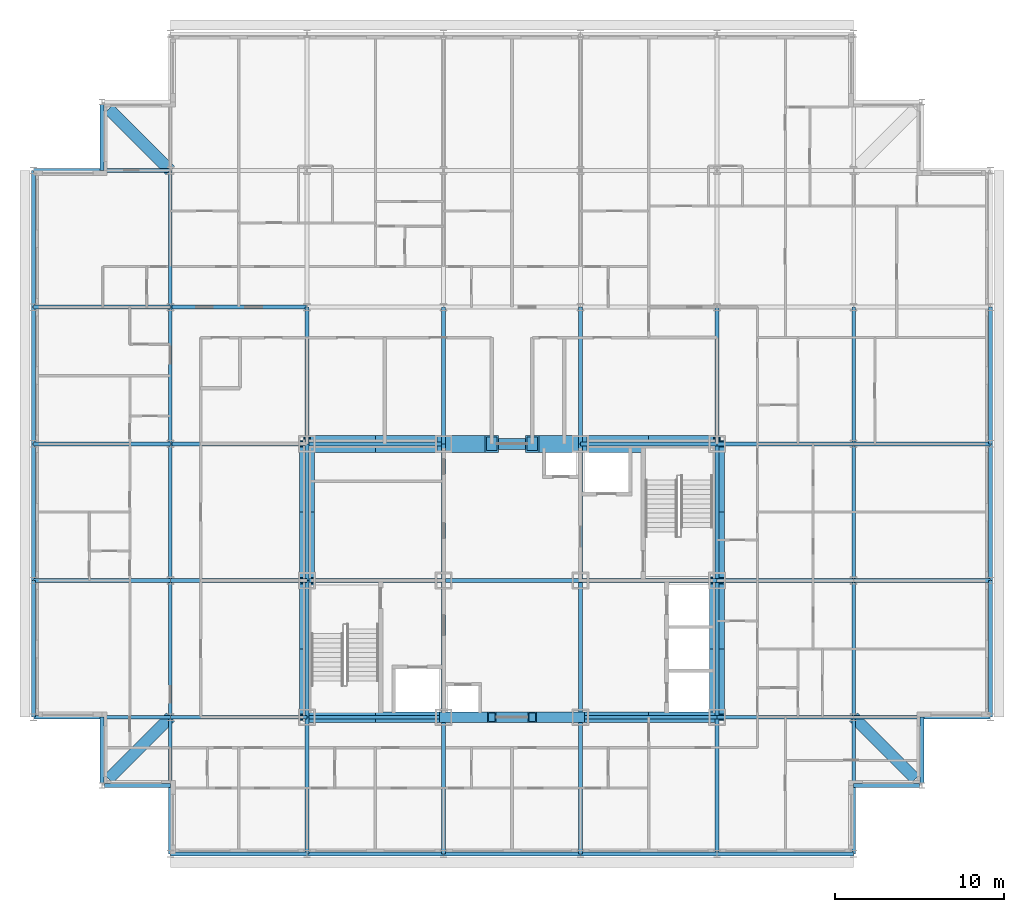
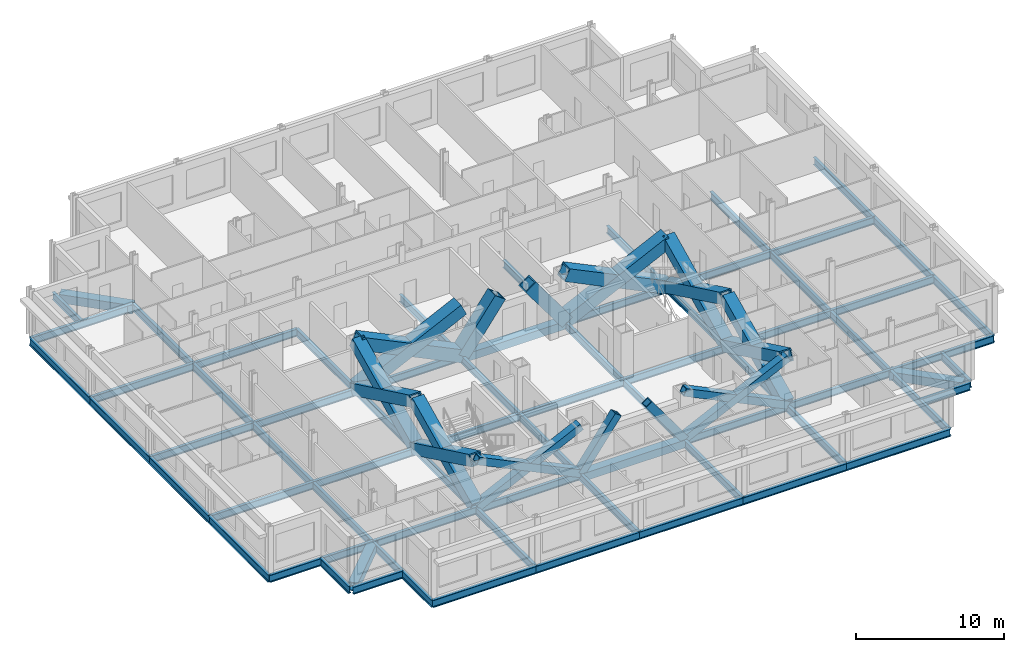
# One storey, part 5 of 16: 69 beams, 20 members.
"""IFC4 building model written with IfcOpenShell, lengths in metres."""

from ifc_helpers import new_model, si_unit, direction, frame, origin, origin_2d, place, context, subcontext, project, spatial, hollow_rectangle, i_section, extrude, material, material_profile, profile_set, type_object, element, save


model = new_model("IFC4")

# Units and contexts
model_context = context("Model", 3, precision=1e-05, world=origin(), true_north=direction((0.0, 1.0)))
body_context = subcontext(model_context, "Body", "Model", "MODEL_VIEW")
ifc_project = project(units=[si_unit("LENGTHUNIT", "METRE"), si_unit("AREAUNIT", "SQUARE_METRE"), si_unit("VOLUMEUNIT", "CUBIC_METRE"), si_unit("PLANEANGLEUNIT", "RADIAN"), si_unit("MASSUNIT", "GRAM", prefix="KILO")], contexts=[model_context])

# Site, building, storey
site_placement = place(None, origin())
site = spatial("IfcSite", under=ifc_project, at=site_placement, CompositionType="ELEMENT")
building_placement = place(site_placement, origin())
building = spatial("IfcBuilding", under=site, at=building_placement, Name="Kopane Lantern Tower", CompositionType="ELEMENT")
storey_placement = place(building_placement, frame((0.0, 0.0, 258.0)))
storey = spatial("IfcBuildingStorey", under=building, at=storey_placement, Name="L66", CompositionType="ELEMENT", Elevation=258.0)

# Members
ifc_material_1 = material(Name="Steel S355JR", Category="steel")
ifc_material_profile_1 = material_profile(ifc_material_1, hollow_rectangle(XDim=1.0, YDim=1.0, WallThickness=0.10009765625, at=origin_2d()), Name="BOX 1000x1000x100")
ifc_profile_set_1 = profile_set([ifc_material_profile_1], Name="Steel S355JR")
member_type_1 = type_object("IfcMemberType", Name="BRACE BOX 1000x1000x100", PredefinedType="BRACE", material=ifc_profile_set_1)
for number, where, z_axis, x_axis, name in (
    (1, (16.199951171875, 40.5, -0.2099609375), (0.901007959878, 0.0, 0.433802554437), (0.0, 1.0, 0.0), "Core brace L66"),
    (2, (24.300048828125, 40.5, -0.2099609375), (-0.901007959878, 0.0, 0.433802554437), (0.0, -1.0, 0.0), "Core brace L66"),
):
    element("IfcMember", number, at=place(storey_placement, frame(where, z_axis=z_axis, x_axis=x_axis)), inside=storey, type_object=member_type_1, Name=name, PredefinedType="BRACE", context=body_context, shape_type="SweptSolid", body=[
        extrude(hollow_rectangle(XDim=1.0, YDim=1.0, WallThickness=0.10009765625, at=origin_2d()), origin(), (0.0, 0.0, 1.0), 8.989990234375),
    ])
for number, where, z_axis, x_axis, name in (
    (3, (24.300048828125, 40.5, -0.2099609375), (0.590006451143, 0.0, 0.807398530845), (0.0, 1.0, 0.0), "Core brace L66"),
    (4, (32.39990234375, 40.5, -0.2099609375), (-0.590006451143, 0.0, 0.807398530845), (0.0, -1.0, 0.0), "Core brace L66"),
):
    element("IfcMember", number, at=place(storey_placement, frame(where, z_axis=z_axis, x_axis=x_axis)), inside=storey, type_object=member_type_1, Name=name, PredefinedType="BRACE", context=body_context, shape_type="SweptSolid", body=[
        extrude(hollow_rectangle(XDim=1.0, YDim=1.0, WallThickness=0.10009765625, at=origin_2d()), origin(), (0.0, 0.0, 1.0), 4.830322265625),
    ])
for number, where, z_axis, x_axis, name in (
    (5, (32.39990234375, 40.5, -0.2099609375), (0.901007959878, 0.0, 0.433802554437), (0.0, 1.0, 0.0), "Core brace L66"),
    (6, (40.5, 40.5, -0.2099609375), (-0.901007959878, 0.0, 0.433802554437), (0.0, -1.0, 0.0), "Core brace L66"),
):
    element("IfcMember", number, at=place(storey_placement, frame(where, z_axis=z_axis, x_axis=x_axis)), inside=storey, type_object=member_type_1, Name=name, PredefinedType="BRACE", context=body_context, shape_type="SweptSolid", body=[
        extrude(hollow_rectangle(XDim=1.0, YDim=1.0, WallThickness=0.10009765625, at=origin_2d()), origin(), (0.0, 0.0, 1.0), 8.989990234375),
    ])
ifc_material_2 = material(Name="Steel S355JR", Category="steel")
ifc_material_profile_2 = material_profile(ifc_material_2, hollow_rectangle(XDim=0.60009765625, YDim=0.60009765625, WallThickness=0.06005859375, at=origin_2d()), Name="BOX 600x600x60")
ifc_profile_set_2 = profile_set([ifc_material_profile_2], Name="Steel S355JR")
member_type_2 = type_object("IfcMemberType", Name="BRACE BOX 600x600x60", PredefinedType="BRACE", material=ifc_profile_set_2)
for number, where, z_axis, x_axis, name in (
    (7, (16.199951171875, 24.300048828125, -0.2099609375), (0.901007959878, 0.0, 0.433802554437), (0.0, 1.0, 0.0), "Core brace L66"),
    (8, (24.300048828125, 24.300048828125, -0.2099609375), (-0.901007959878, 0.0, 0.433802554437), (0.0, -1.0, 0.0), "Core brace L66"),
):
    element("IfcMember", number, at=place(storey_placement, frame(where, z_axis=z_axis, x_axis=x_axis)), inside=storey, type_object=member_type_2, Name=name, PredefinedType="BRACE", context=body_context, shape_type="SweptSolid", body=[
        extrude(hollow_rectangle(XDim=0.60009765625, YDim=0.60009765625, WallThickness=0.06005859375, at=origin_2d()), origin(), (0.0, 0.0, 1.0), 8.989990234375),
    ])
for number, where, z_axis, x_axis, name in (
    (9, (24.300048828125, 24.300048828125, -0.2099609375), (0.590006451143, 0.0, 0.807398530845), (0.0, 1.0, 0.0), "Core brace L66"),
    (10, (32.39990234375, 24.300048828125, -0.2099609375), (-0.590006451143, 0.0, 0.807398530845), (0.0, -1.0, 0.0), "Core brace L66"),
):
    element("IfcMember", number, at=place(storey_placement, frame(where, z_axis=z_axis, x_axis=x_axis)), inside=storey, type_object=member_type_2, Name=name, PredefinedType="BRACE", context=body_context, shape_type="SweptSolid", body=[
        extrude(hollow_rectangle(XDim=0.60009765625, YDim=0.60009765625, WallThickness=0.06005859375, at=origin_2d()), origin(), (0.0, 0.0, 1.0), 4.830322265625),
    ])
for number, where, z_axis, x_axis, name in (
    (11, (32.39990234375, 24.300048828125, -0.2099609375), (0.901007959878, 0.0, 0.433802554437), (0.0, 1.0, 0.0), "Core brace L66"),
    (12, (40.5, 24.300048828125, -0.2099609375), (-0.901007959878, 0.0, 0.433802554437), (0.0, -1.0, 0.0), "Core brace L66"),
):
    element("IfcMember", number, at=place(storey_placement, frame(where, z_axis=z_axis, x_axis=x_axis)), inside=storey, type_object=member_type_2, Name=name, PredefinedType="BRACE", context=body_context, shape_type="SweptSolid", body=[
        extrude(hollow_rectangle(XDim=0.60009765625, YDim=0.60009765625, WallThickness=0.06005859375, at=origin_2d()), origin(), (0.0, 0.0, 1.0), 8.989990234375),
    ])
ifc_material_3 = material(Name="Steel S355JR", Category="steel")
ifc_material_profile_3 = material_profile(ifc_material_3, hollow_rectangle(XDim=0.89990234375, YDim=0.89990234375, WallThickness=0.090087890625, at=origin_2d()), Name="BOX 900x900x90")
ifc_profile_set_3 = profile_set([ifc_material_profile_3], Name="Steel S355JR")
member_type_3 = type_object("IfcMemberType", Name="BRACE BOX 900x900x90", PredefinedType="BRACE", material=ifc_profile_set_3)
for number, where, z_axis, x_axis, name in (
    (13, (16.199951171875, 24.300048828125, -0.2099609375), (0.0, 0.9010028492, 0.433813169157), (-1.0, 0.0, 0.0), "Core brace L66"),
    (14, (16.199951171875, 32.39990234375, -0.2099609375), (0.0, -0.9010028492, 0.433813169157), (1.0, 0.0, 0.0), "Core brace L66"),
):
    element("IfcMember", number, at=place(storey_placement, frame(where, z_axis=z_axis, x_axis=x_axis)), inside=storey, type_object=member_type_3, Name=name, PredefinedType="BRACE", context=body_context, shape_type="SweptSolid", body=[
        extrude(hollow_rectangle(XDim=0.89990234375, YDim=0.89990234375, WallThickness=0.090087890625, at=origin_2d()), origin(), (0.0, 0.0, 1.0), 8.98974609375),
    ])
for number, where, z_axis, x_axis, name in (
    (15, (16.199951171875, 32.39990234375, -0.2099609375), (0.0, 0.901007959878, 0.433802554437), (-1.0, 0.0, 0.0), "Core brace L66"),
    (16, (16.199951171875, 40.5, -0.2099609375), (0.0, -0.901007959878, 0.433802554437), (1.0, 0.0, 0.0), "Core brace L66"),
):
    element("IfcMember", number, at=place(storey_placement, frame(where, z_axis=z_axis, x_axis=x_axis)), inside=storey, type_object=member_type_3, Name=name, PredefinedType="BRACE", context=body_context, shape_type="SweptSolid", body=[
        extrude(hollow_rectangle(XDim=0.89990234375, YDim=0.89990234375, WallThickness=0.090087890625, at=origin_2d()), origin(), (0.0, 0.0, 1.0), 8.989990234375),
    ])
for number, where, z_axis, x_axis, name in (
    (17, (40.5, 24.300048828125, -0.2099609375), (0.0, 0.9010028492, 0.433813169157), (-1.0, 0.0, 0.0), "Core brace L66"),
    (18, (40.5, 32.39990234375, -0.2099609375), (0.0, -0.9010028492, 0.433813169157), (1.0, 0.0, 0.0), "Core brace L66"),
):
    element("IfcMember", number, at=place(storey_placement, frame(where, z_axis=z_axis, x_axis=x_axis)), inside=storey, type_object=member_type_3, Name=name, PredefinedType="BRACE", context=body_context, shape_type="SweptSolid", body=[
        extrude(hollow_rectangle(XDim=0.89990234375, YDim=0.89990234375, WallThickness=0.090087890625, at=origin_2d()), origin(), (0.0, 0.0, 1.0), 8.98974609375),
    ])
for number, where, z_axis, x_axis, name in (
    (19, (40.5, 32.39990234375, -0.2099609375), (0.0, 0.901007959878, 0.433802554437), (-1.0, 0.0, 0.0), "Core brace L66"),
    (20, (40.5, 40.5, -0.2099609375), (0.0, -0.901007959878, 0.433802554437), (1.0, 0.0, 0.0), "Core brace L66"),
):
    element("IfcMember", number, at=place(storey_placement, frame(where, z_axis=z_axis, x_axis=x_axis)), inside=storey, type_object=member_type_3, Name=name, PredefinedType="BRACE", context=body_context, shape_type="SweptSolid", body=[
        extrude(hollow_rectangle(XDim=0.89990234375, YDim=0.89990234375, WallThickness=0.090087890625, at=origin_2d()), origin(), (0.0, 0.0, 1.0), 8.989990234375),
    ])

# Beams
ifc_material_4 = material(Name="Steel S355JR", Category="steel")
ifc_material_profile_4 = material_profile(ifc_material_4, i_section(OverallWidth=0.22900390625, OverallDepth=0.6123046875, WebThickness=0.011962890625, FlangeThickness=0.01953125, FilletRadius=0.0126953125, at=origin_2d()), Name="UB 610x229x125")
ifc_profile_set_4 = profile_set([ifc_material_profile_4], Name="Steel S355JR")
beam_type_1 = type_object("IfcBeamType", Name="CORE BEAM UB 610x229x125", PredefinedType="BEAM", material=ifc_profile_set_4)
beam_1_placement = place(storey_placement, frame((16.199951171875, 32.39990234375, -0.51611328125), z_axis=(1.0, 0.0, 0.0), x_axis=(0.0, 1.0, 0.0)))
element("IfcBeam", 21, at=beam_1_placement, inside=storey, type_object=beam_type_1, Name="Core Beam L66", PredefinedType="BEAM", context=body_context, shape_type="SweptSolid", body=[
    extrude(i_section(OverallWidth=0.22900390625, OverallDepth=0.6123046875, WebThickness=0.011962890625, FlangeThickness=0.01953125, FilletRadius=0.0126953125, at=origin_2d()), origin(), (0.0, 0.0, 1.0), 8.10009765625),
])
beam_2_placement = place(storey_placement, frame((24.300048828125, 24.300048828125, -0.51611328125), z_axis=(0.0, 1.0, 0.0), x_axis=(-1.0, 0.0, 0.0)))
element("IfcBeam", 22, at=beam_2_placement, inside=storey, type_object=beam_type_1, Name="Core Beam L66", PredefinedType="BEAM", context=body_context, shape_type="SweptSolid", body=[
    extrude(i_section(OverallWidth=0.22900390625, OverallDepth=0.6123046875, WebThickness=0.011962890625, FlangeThickness=0.01953125, FilletRadius=0.0126953125, at=origin_2d()), origin(), (0.0, 0.0, 1.0), 8.099853515625),
])
beam_3_placement = place(storey_placement, frame((24.300048828125, 32.39990234375, -0.51611328125), z_axis=(0.0, 1.0, 0.0), x_axis=(-1.0, 0.0, 0.0)))
element("IfcBeam", 23, at=beam_3_placement, inside=storey, type_object=beam_type_1, Name="Core Beam L66", PredefinedType="BEAM", context=body_context, shape_type="SweptSolid", body=[
    extrude(i_section(OverallWidth=0.22900390625, OverallDepth=0.6123046875, WebThickness=0.011962890625, FlangeThickness=0.01953125, FilletRadius=0.0126953125, at=origin_2d()), origin(), (0.0, 0.0, 1.0), 8.10009765625),
])
for number, where, z_axis, x_axis, name in (
    (24, (24.300048828125, 32.39990234375, -0.51611328125), (1.0, 0.0, 0.0), (0.0, 1.0, 0.0), "Core Beam L66"),
    (25, (32.39990234375, 24.300048828125, -0.51611328125), (0.0, 1.0, 0.0), (-1.0, 0.0, 0.0), "Core Beam L66"),
):
    element("IfcBeam", number, at=place(storey_placement, frame(where, z_axis=z_axis, x_axis=x_axis)), inside=storey, type_object=beam_type_1, Name=name, PredefinedType="BEAM", context=body_context, shape_type="SweptSolid", body=[
        extrude(i_section(OverallWidth=0.22900390625, OverallDepth=0.6123046875, WebThickness=0.011962890625, FlangeThickness=0.01953125, FilletRadius=0.0126953125, at=origin_2d()), origin(), (0.0, 0.0, 1.0), 8.099853515625),
    ])
for number, where, z_axis, x_axis, name in (
    (26, (32.39990234375, 32.39990234375, -0.51611328125), (0.0, 1.0, 0.0), (-1.0, 0.0, 0.0), "Core Beam L66"),
    (27, (32.39990234375, 32.39990234375, -0.51611328125), (1.0, 0.0, 0.0), (0.0, 1.0, 0.0), "Core Beam L66"),
):
    element("IfcBeam", number, at=place(storey_placement, frame(where, z_axis=z_axis, x_axis=x_axis)), inside=storey, type_object=beam_type_1, Name=name, PredefinedType="BEAM", context=body_context, shape_type="SweptSolid", body=[
        extrude(i_section(OverallWidth=0.22900390625, OverallDepth=0.6123046875, WebThickness=0.011962890625, FlangeThickness=0.01953125, FilletRadius=0.0126953125, at=origin_2d()), origin(), (0.0, 0.0, 1.0), 8.10009765625),
    ])
ifc_material_5 = material(Name="Steel S355JR", Category="steel")
ifc_material_profile_5 = material_profile(ifc_material_5, hollow_rectangle(XDim=0.699951171875, YDim=0.699951171875, WallThickness=0.06005859375, at=origin_2d()), Name="BOX 700x700x60")
ifc_profile_set_5 = profile_set([ifc_material_profile_5], Name="Steel S355JR")
beam_type_2 = type_object("IfcBeamType", Name="CORNER TIE BEAM BOX 700x700x60", PredefinedType="BEAM", material=ifc_profile_set_5)
for number, where, z_axis, x_axis, name in (
    (28, (4.447509765625, 20.6474609375, -0.56005859375), (0.707106781187, 0.707106781187, 0.0), (-0.707106781187, 0.707106781187, 0.0), "Corner Tie Beam L66"),
    (29, (4.447509765625, 60.3525390625, -0.56005859375), (0.707106781187, -0.707106781187, 0.0), (0.707106781187, 0.707106781187, 0.0), "Corner Tie Beam L66"),
):
    element("IfcBeam", number, at=place(storey_placement, frame(where, z_axis=z_axis, x_axis=x_axis)), inside=storey, type_object=beam_type_2, Name=name, PredefinedType="BEAM", context=body_context, shape_type="SweptSolid", body=[
        extrude(hollow_rectangle(XDim=0.699951171875, YDim=0.699951171875, WallThickness=0.06005859375, at=origin_2d()), origin(), (0.0, 0.0, 1.0), 5.16552734375),
    ])
beam_4_placement = place(storey_placement, frame((52.25244140625, 20.6474609375, -0.56005859375), z_axis=(-0.707083148333, 0.70713041325, 0.0), x_axis=(-0.70713041325, -0.707083148333, 0.0)))
element("IfcBeam", 30, at=beam_4_placement, inside=storey, type_object=beam_type_2, Name="Corner Tie Beam L66", PredefinedType="BEAM", context=body_context, shape_type="SweptSolid", body=[
    extrude(hollow_rectangle(XDim=0.699951171875, YDim=0.699951171875, WallThickness=0.06005859375, at=origin_2d()), origin(), (0.0, 0.0, 1.0), 5.165283203125),
])
ifc_material_6 = material(Name="Steel S355JR", Category="steel")
ifc_material_profile_6 = material_profile(ifc_material_6, i_section(OverallWidth=0.22900390625, OverallDepth=0.6123046875, WebThickness=0.011962890625, FlangeThickness=0.01953125, FilletRadius=0.0126953125, at=origin_2d()), Name="UB 610x229x125")
ifc_profile_set_6 = profile_set([ifc_material_profile_6], Name="Steel S355JR")
beam_type_3 = type_object("IfcBeamType", Name="EDGE BEAM UB 610x229x125", PredefinedType="BEAM", material=ifc_profile_set_6)
beam_5_placement = place(storey_placement, frame((4.050048828125, 20.40380859375, -0.51611328125), z_axis=(0.0, 1.0, 0.0), x_axis=(-1.0, 0.0, 0.0)))
element("IfcBeam", 31, at=beam_5_placement, inside=storey, type_object=beam_type_3, Name="Edge Beam L66", PredefinedType="BEAM", context=body_context, shape_type="SweptSolid", body=[
    extrude(i_section(OverallWidth=0.22900390625, OverallDepth=0.6123046875, WebThickness=0.011962890625, FlangeThickness=0.01953125, FilletRadius=0.0126953125, at=origin_2d()), origin(), (0.0, 0.0, 1.0), 3.896240234375),
])
beam_6_placement = place(storey_placement, frame((4.20361328125, 20.25, -0.51611328125), z_axis=(1.0, 0.0, 0.0), x_axis=(0.0, 1.0, 0.0)))
element("IfcBeam", 32, at=beam_6_placement, inside=storey, type_object=beam_type_3, Name="Edge Beam L66", PredefinedType="BEAM", context=body_context, shape_type="SweptSolid", body=[
    extrude(i_section(OverallWidth=0.22900390625, OverallDepth=0.6123046875, WebThickness=0.011962890625, FlangeThickness=0.01953125, FilletRadius=0.0126953125, at=origin_2d()), origin(), (0.0, 0.0, 1.0), 3.896484375),
])
for number, where, z_axis, x_axis, name in (
    (33, (4.050048828125, 60.59619140625, -0.51611328125), (0.0, -1.0, 0.0), (1.0, 0.0, 0.0), "Edge Beam L66"),
    (34, (52.496337890625, 20.25, -0.51611328125), (-1.0, 0.0, 0.0), (0.0, -1.0, 0.0), "Edge Beam L66"),
    (35, (52.64990234375, 20.40380859375, -0.51611328125), (0.0, 1.0, 0.0), (-1.0, 0.0, 0.0), "Edge Beam L66"),
):
    element("IfcBeam", number, at=place(storey_placement, frame(where, z_axis=z_axis, x_axis=x_axis)), inside=storey, type_object=beam_type_3, Name=name, PredefinedType="BEAM", context=body_context, shape_type="SweptSolid", body=[
        extrude(i_section(OverallWidth=0.22900390625, OverallDepth=0.6123046875, WebThickness=0.011962890625, FlangeThickness=0.01953125, FilletRadius=0.0126953125, at=origin_2d()), origin(), (0.0, 0.0, 1.0), 3.896240234375),
    ])
ifc_material_7 = material(Name="Steel S355JR", Category="steel")
ifc_material_profile_7 = material_profile(ifc_material_7, i_section(OverallWidth=0.22900390625, OverallDepth=0.6123046875, WebThickness=0.011962890625, FlangeThickness=0.01953125, FilletRadius=0.0126953125, at=origin_2d()), Name="UB 610x229x125")
ifc_profile_set_7 = profile_set([ifc_material_profile_7], Name="Steel S355JR")
beam_type_4 = type_object("IfcBeamType", Name="GIRDER UB 610x229x125", PredefinedType="BEAM", material=ifc_profile_set_7)
beam_7_placement = place(storey_placement, frame((0.0, 24.300048828125, -0.51611328125), z_axis=(0.0, 1.0, 0.0), x_axis=(-1.0, 0.0, 0.0)))
element("IfcBeam", 36, at=beam_7_placement, inside=storey, type_object=beam_type_4, Name="Girder L66", PredefinedType="BEAM", context=body_context, shape_type="SweptSolid", body=[
    extrude(i_section(OverallWidth=0.22900390625, OverallDepth=0.6123046875, WebThickness=0.011962890625, FlangeThickness=0.01953125, FilletRadius=0.0126953125, at=origin_2d()), origin(), (0.0, 0.0, 1.0), 8.099853515625),
])
for number, where, z_axis, x_axis, name in (
    (37, (0.0, 24.300048828125, -0.51611328125), (1.0, 0.0, 0.0), (0.0, 1.0, 0.0), "Girder L66"),
    (38, (0.0, 32.39990234375, -0.51611328125), (0.0, 1.0, 0.0), (-1.0, 0.0, 0.0), "Girder L66"),
    (39, (0.0, 32.39990234375, -0.51611328125), (1.0, 0.0, 0.0), (0.0, 1.0, 0.0), "Girder L66"),
    (40, (0.0, 40.5, -0.51611328125), (0.0, 1.0, 0.0), (-1.0, 0.0, 0.0), "Girder L66"),
    (41, (0.0, 40.5, -0.51611328125), (1.0, 0.0, 0.0), (0.0, 1.0, 0.0), "Girder L66"),
):
    element("IfcBeam", number, at=place(storey_placement, frame(where, z_axis=z_axis, x_axis=x_axis)), inside=storey, type_object=beam_type_4, Name=name, PredefinedType="BEAM", context=body_context, shape_type="SweptSolid", body=[
        extrude(i_section(OverallWidth=0.22900390625, OverallDepth=0.6123046875, WebThickness=0.011962890625, FlangeThickness=0.01953125, FilletRadius=0.0126953125, at=origin_2d()), origin(), (0.0, 0.0, 1.0), 8.10009765625),
    ])
beam_8_placement = place(storey_placement, frame((0.0, 48.60009765625, -0.51611328125), z_axis=(0.0, 1.0, 0.0), x_axis=(-1.0, 0.0, 0.0)))
element("IfcBeam", 42, at=beam_8_placement, inside=storey, type_object=beam_type_4, Name="Girder L66", PredefinedType="BEAM", context=body_context, shape_type="SweptSolid", body=[
    extrude(i_section(OverallWidth=0.22900390625, OverallDepth=0.6123046875, WebThickness=0.011962890625, FlangeThickness=0.01953125, FilletRadius=0.0126953125, at=origin_2d()), origin(), (0.0, 0.0, 1.0), 8.099853515625),
])
for number, where, z_axis, x_axis, name in (
    (43, (0.0, 48.60009765625, -0.51611328125), (1.0, 0.0, 0.0), (0.0, 1.0, 0.0), "Girder L66"),
    (44, (0.0, 56.699951171875, -0.51611328125), (1.0, 0.0, 0.0), (0.0, 1.0, 0.0), "Girder L66"),
    (45, (8.10009765625, 16.199951171875, -0.51611328125), (0.0, 1.0, 0.0), (-1.0, 0.0, 0.0), "Girder L66"),
):
    element("IfcBeam", number, at=place(storey_placement, frame(where, z_axis=z_axis, x_axis=x_axis)), inside=storey, type_object=beam_type_4, Name=name, PredefinedType="BEAM", context=body_context, shape_type="SweptSolid", body=[
        extrude(i_section(OverallWidth=0.22900390625, OverallDepth=0.6123046875, WebThickness=0.011962890625, FlangeThickness=0.01953125, FilletRadius=0.0126953125, at=origin_2d()), origin(), (0.0, 0.0, 1.0), 8.10009765625),
    ])
for number, where, z_axis, x_axis, name in (
    (46, (8.10009765625, 16.199951171875, -0.51611328125), (1.0, 0.0, 0.0), (0.0, 1.0, 0.0), "Girder L66"),
    (47, (8.10009765625, 24.300048828125, -0.51611328125), (0.0, 1.0, 0.0), (-1.0, 0.0, 0.0), "Girder L66"),
    (48, (8.10009765625, 24.300048828125, -0.51611328125), (1.0, 0.0, 0.0), (0.0, 1.0, 0.0), "Girder L66"),
):
    element("IfcBeam", number, at=place(storey_placement, frame(where, z_axis=z_axis, x_axis=x_axis)), inside=storey, type_object=beam_type_4, Name=name, PredefinedType="BEAM", context=body_context, shape_type="SweptSolid", body=[
        extrude(i_section(OverallWidth=0.22900390625, OverallDepth=0.6123046875, WebThickness=0.011962890625, FlangeThickness=0.01953125, FilletRadius=0.0126953125, at=origin_2d()), origin(), (0.0, 0.0, 1.0), 8.099853515625),
    ])
beam_9_placement = place(storey_placement, frame((8.10009765625, 32.39990234375, -0.51611328125), z_axis=(0.0, 1.0, 0.0), x_axis=(-1.0, 0.0, 0.0)))
element("IfcBeam", 49, at=beam_9_placement, inside=storey, type_object=beam_type_4, Name="Girder L66", PredefinedType="BEAM", context=body_context, shape_type="SweptSolid", body=[
    extrude(i_section(OverallWidth=0.22900390625, OverallDepth=0.6123046875, WebThickness=0.011962890625, FlangeThickness=0.01953125, FilletRadius=0.0126953125, at=origin_2d()), origin(), (0.0, 0.0, 1.0), 8.10009765625),
])
beam_10_placement = place(storey_placement, frame((8.10009765625, 32.39990234375, -0.51611328125), z_axis=(1.0, 0.0, 0.0), x_axis=(0.0, 1.0, 0.0)))
element("IfcBeam", 50, at=beam_10_placement, inside=storey, type_object=beam_type_4, Name="Girder L66", PredefinedType="BEAM", context=body_context, shape_type="SweptSolid", body=[
    extrude(i_section(OverallWidth=0.22900390625, OverallDepth=0.6123046875, WebThickness=0.011962890625, FlangeThickness=0.01953125, FilletRadius=0.0126953125, at=origin_2d()), origin(), (0.0, 0.0, 1.0), 8.099853515625),
])
beam_11_placement = place(storey_placement, frame((8.10009765625, 40.5, -0.51611328125), z_axis=(0.0, 1.0, 0.0), x_axis=(-1.0, 0.0, 0.0)))
element("IfcBeam", 51, at=beam_11_placement, inside=storey, type_object=beam_type_4, Name="Girder L66", PredefinedType="BEAM", context=body_context, shape_type="SweptSolid", body=[
    extrude(i_section(OverallWidth=0.22900390625, OverallDepth=0.6123046875, WebThickness=0.011962890625, FlangeThickness=0.01953125, FilletRadius=0.0126953125, at=origin_2d()), origin(), (0.0, 0.0, 1.0), 8.10009765625),
])
for number, where, z_axis, x_axis, name in (
    (52, (8.10009765625, 40.5, -0.51611328125), (1.0, 0.0, 0.0), (0.0, 1.0, 0.0), "Girder L66"),
    (53, (8.10009765625, 48.60009765625, -0.51611328125), (0.0, 1.0, 0.0), (-1.0, 0.0, 0.0), "Girder L66"),
    (54, (8.10009765625, 48.60009765625, -0.51611328125), (1.0, 0.0, 0.0), (0.0, 1.0, 0.0), "Girder L66"),
):
    element("IfcBeam", number, at=place(storey_placement, frame(where, z_axis=z_axis, x_axis=x_axis)), inside=storey, type_object=beam_type_4, Name=name, PredefinedType="BEAM", context=body_context, shape_type="SweptSolid", body=[
        extrude(i_section(OverallWidth=0.22900390625, OverallDepth=0.6123046875, WebThickness=0.011962890625, FlangeThickness=0.01953125, FilletRadius=0.0126953125, at=origin_2d()), origin(), (0.0, 0.0, 1.0), 8.099853515625),
    ])
for number, where, z_axis, x_axis, name in (
    (55, (16.199951171875, 16.199951171875, -0.51611328125), (0.0, 1.0, 0.0), (-1.0, 0.0, 0.0), "Girder L66"),
    (56, (16.199951171875, 16.199951171875, -0.51611328125), (1.0, 0.0, 0.0), (0.0, 1.0, 0.0), "Girder L66"),
):
    element("IfcBeam", number, at=place(storey_placement, frame(where, z_axis=z_axis, x_axis=x_axis)), inside=storey, type_object=beam_type_4, Name=name, PredefinedType="BEAM", context=body_context, shape_type="SweptSolid", body=[
        extrude(i_section(OverallWidth=0.22900390625, OverallDepth=0.6123046875, WebThickness=0.011962890625, FlangeThickness=0.01953125, FilletRadius=0.0126953125, at=origin_2d()), origin(), (0.0, 0.0, 1.0), 8.10009765625),
    ])
beam_12_placement = place(storey_placement, frame((16.199951171875, 24.300048828125, -0.51611328125), z_axis=(0.0, 1.0, 0.0), x_axis=(-1.0, 0.0, 0.0)))
element("IfcBeam", 57, at=beam_12_placement, inside=storey, type_object=beam_type_4, Name="Girder L66", PredefinedType="BEAM", context=body_context, shape_type="SweptSolid", body=[
    extrude(i_section(OverallWidth=0.22900390625, OverallDepth=0.6123046875, WebThickness=0.011962890625, FlangeThickness=0.01953125, FilletRadius=0.0126953125, at=origin_2d()), origin(), (0.0, 0.0, 1.0), 8.099853515625),
])
for number, where, z_axis, x_axis, name in (
    (58, (16.199951171875, 24.300048828125, -0.51611328125), (1.0, 0.0, 0.0), (0.0, 1.0, 0.0), "Girder L66"),
    (59, (16.199951171875, 32.39990234375, -0.51611328125), (0.0, 1.0, 0.0), (-1.0, 0.0, 0.0), "Girder L66"),
    (60, (16.199951171875, 40.5, -0.51611328125), (0.0, 1.0, 0.0), (-1.0, 0.0, 0.0), "Girder L66"),
    (61, (16.199951171875, 40.5, -0.51611328125), (1.0, 0.0, 0.0), (0.0, 1.0, 0.0), "Girder L66"),
    (62, (24.300048828125, 16.199951171875, -0.51611328125), (0.0, 1.0, 0.0), (-1.0, 0.0, 0.0), "Girder L66"),
):
    element("IfcBeam", number, at=place(storey_placement, frame(where, z_axis=z_axis, x_axis=x_axis)), inside=storey, type_object=beam_type_4, Name=name, PredefinedType="BEAM", context=body_context, shape_type="SweptSolid", body=[
        extrude(i_section(OverallWidth=0.22900390625, OverallDepth=0.6123046875, WebThickness=0.011962890625, FlangeThickness=0.01953125, FilletRadius=0.0126953125, at=origin_2d()), origin(), (0.0, 0.0, 1.0), 8.10009765625),
    ])
beam_13_placement = place(storey_placement, frame((24.300048828125, 16.199951171875, -0.51611328125), z_axis=(1.0, 0.0, 0.0), x_axis=(0.0, 1.0, 0.0)))
element("IfcBeam", 63, at=beam_13_placement, inside=storey, type_object=beam_type_4, Name="Girder L66", PredefinedType="BEAM", context=body_context, shape_type="SweptSolid", body=[
    extrude(i_section(OverallWidth=0.22900390625, OverallDepth=0.6123046875, WebThickness=0.011962890625, FlangeThickness=0.01953125, FilletRadius=0.0126953125, at=origin_2d()), origin(), (0.0, 0.0, 1.0), 8.099853515625),
])
for number, where, z_axis, x_axis, name in (
    (64, (24.300048828125, 40.5, -0.51611328125), (0.0, 1.0, 0.0), (-1.0, 0.0, 0.0), "Girder L66"),
    (65, (32.39990234375, 16.199951171875, -0.51611328125), (0.0, 1.0, 0.0), (-1.0, 0.0, 0.0), "Girder L66"),
    (66, (32.39990234375, 16.199951171875, -0.51611328125), (1.0, 0.0, 0.0), (0.0, 1.0, 0.0), "Girder L66"),
    (67, (32.39990234375, 24.300048828125, -0.51611328125), (1.0, 0.0, 0.0), (0.0, 1.0, 0.0), "Girder L66"),
    (68, (32.39990234375, 40.5, -0.51611328125), (0.0, 1.0, 0.0), (-1.0, 0.0, 0.0), "Girder L66"),
    (69, (32.39990234375, 40.5, -0.51611328125), (1.0, 0.0, 0.0), (0.0, 1.0, 0.0), "Girder L66"),
    (70, (40.5, 16.199951171875, -0.51611328125), (0.0, 1.0, 0.0), (-1.0, 0.0, 0.0), "Girder L66"),
    (71, (40.5, 16.199951171875, -0.51611328125), (1.0, 0.0, 0.0), (0.0, 1.0, 0.0), "Girder L66"),
):
    element("IfcBeam", number, at=place(storey_placement, frame(where, z_axis=z_axis, x_axis=x_axis)), inside=storey, type_object=beam_type_4, Name=name, PredefinedType="BEAM", context=body_context, shape_type="SweptSolid", body=[
        extrude(i_section(OverallWidth=0.22900390625, OverallDepth=0.6123046875, WebThickness=0.011962890625, FlangeThickness=0.01953125, FilletRadius=0.0126953125, at=origin_2d()), origin(), (0.0, 0.0, 1.0), 8.10009765625),
    ])
beam_14_placement = place(storey_placement, frame((40.5, 24.300048828125, -0.51611328125), z_axis=(0.0, 1.0, 0.0), x_axis=(-1.0, 0.0, 0.0)))
element("IfcBeam", 72, at=beam_14_placement, inside=storey, type_object=beam_type_4, Name="Girder L66", PredefinedType="BEAM", context=body_context, shape_type="SweptSolid", body=[
    extrude(i_section(OverallWidth=0.22900390625, OverallDepth=0.6123046875, WebThickness=0.011962890625, FlangeThickness=0.01953125, FilletRadius=0.0126953125, at=origin_2d()), origin(), (0.0, 0.0, 1.0), 8.099853515625),
])
for number, where, z_axis, x_axis, name in (
    (73, (40.5, 24.300048828125, -0.51611328125), (1.0, 0.0, 0.0), (0.0, 1.0, 0.0), "Girder L66"),
    (74, (40.5, 32.39990234375, -0.51611328125), (0.0, 1.0, 0.0), (-1.0, 0.0, 0.0), "Girder L66"),
    (75, (40.5, 32.39990234375, -0.51611328125), (1.0, 0.0, 0.0), (0.0, 1.0, 0.0), "Girder L66"),
    (76, (40.5, 40.5, -0.51611328125), (0.0, 1.0, 0.0), (-1.0, 0.0, 0.0), "Girder L66"),
    (77, (40.5, 40.5, -0.51611328125), (1.0, 0.0, 0.0), (0.0, 1.0, 0.0), "Girder L66"),
    (78, (48.60009765625, 16.199951171875, -0.51611328125), (0.0, 1.0, 0.0), (-1.0, 0.0, 0.0), "Girder L66"),
):
    element("IfcBeam", number, at=place(storey_placement, frame(where, z_axis=z_axis, x_axis=x_axis)), inside=storey, type_object=beam_type_4, Name=name, PredefinedType="BEAM", context=body_context, shape_type="SweptSolid", body=[
        extrude(i_section(OverallWidth=0.22900390625, OverallDepth=0.6123046875, WebThickness=0.011962890625, FlangeThickness=0.01953125, FilletRadius=0.0126953125, at=origin_2d()), origin(), (0.0, 0.0, 1.0), 8.10009765625),
    ])
for number, where, z_axis, x_axis, name in (
    (79, (48.60009765625, 24.300048828125, -0.51611328125), (0.0, 1.0, 0.0), (-1.0, 0.0, 0.0), "Girder L66"),
    (80, (48.60009765625, 24.300048828125, -0.51611328125), (1.0, 0.0, 0.0), (0.0, 1.0, 0.0), "Girder L66"),
):
    element("IfcBeam", number, at=place(storey_placement, frame(where, z_axis=z_axis, x_axis=x_axis)), inside=storey, type_object=beam_type_4, Name=name, PredefinedType="BEAM", context=body_context, shape_type="SweptSolid", body=[
        extrude(i_section(OverallWidth=0.22900390625, OverallDepth=0.6123046875, WebThickness=0.011962890625, FlangeThickness=0.01953125, FilletRadius=0.0126953125, at=origin_2d()), origin(), (0.0, 0.0, 1.0), 8.099853515625),
    ])
beam_15_placement = place(storey_placement, frame((48.60009765625, 32.39990234375, -0.51611328125), z_axis=(0.0, 1.0, 0.0), x_axis=(-1.0, 0.0, 0.0)))
element("IfcBeam", 81, at=beam_15_placement, inside=storey, type_object=beam_type_4, Name="Girder L66", PredefinedType="BEAM", context=body_context, shape_type="SweptSolid", body=[
    extrude(i_section(OverallWidth=0.22900390625, OverallDepth=0.6123046875, WebThickness=0.011962890625, FlangeThickness=0.01953125, FilletRadius=0.0126953125, at=origin_2d()), origin(), (0.0, 0.0, 1.0), 8.10009765625),
])
beam_16_placement = place(storey_placement, frame((48.60009765625, 32.39990234375, -0.51611328125), z_axis=(1.0, 0.0, 0.0), x_axis=(0.0, 1.0, 0.0)))
element("IfcBeam", 82, at=beam_16_placement, inside=storey, type_object=beam_type_4, Name="Girder L66", PredefinedType="BEAM", context=body_context, shape_type="SweptSolid", body=[
    extrude(i_section(OverallWidth=0.22900390625, OverallDepth=0.6123046875, WebThickness=0.011962890625, FlangeThickness=0.01953125, FilletRadius=0.0126953125, at=origin_2d()), origin(), (0.0, 0.0, 1.0), 8.099853515625),
])
beam_17_placement = place(storey_placement, frame((48.60009765625, 40.5, -0.51611328125), z_axis=(0.0, 1.0, 0.0), x_axis=(-1.0, 0.0, 0.0)))
element("IfcBeam", 83, at=beam_17_placement, inside=storey, type_object=beam_type_4, Name="Girder L66", PredefinedType="BEAM", context=body_context, shape_type="SweptSolid", body=[
    extrude(i_section(OverallWidth=0.22900390625, OverallDepth=0.6123046875, WebThickness=0.011962890625, FlangeThickness=0.01953125, FilletRadius=0.0126953125, at=origin_2d()), origin(), (0.0, 0.0, 1.0), 8.10009765625),
])
for number, where, z_axis, x_axis, name in (
    (84, (48.60009765625, 40.5, -0.51611328125), (1.0, 0.0, 0.0), (0.0, 1.0, 0.0), "Girder L66"),
    (85, (56.699951171875, 24.300048828125, -0.51611328125), (0.0, 1.0, 0.0), (-1.0, 0.0, 0.0), "Girder L66"),
):
    element("IfcBeam", number, at=place(storey_placement, frame(where, z_axis=z_axis, x_axis=x_axis)), inside=storey, type_object=beam_type_4, Name=name, PredefinedType="BEAM", context=body_context, shape_type="SweptSolid", body=[
        extrude(i_section(OverallWidth=0.22900390625, OverallDepth=0.6123046875, WebThickness=0.011962890625, FlangeThickness=0.01953125, FilletRadius=0.0126953125, at=origin_2d()), origin(), (0.0, 0.0, 1.0), 8.099853515625),
    ])
for number, where, z_axis, x_axis, name in (
    (86, (56.699951171875, 32.39990234375, -0.51611328125), (0.0, 1.0, 0.0), (-1.0, 0.0, 0.0), "Girder L66"),
    (87, (56.699951171875, 40.5, -0.51611328125), (0.0, 1.0, 0.0), (-1.0, 0.0, 0.0), "Girder L66"),
):
    element("IfcBeam", number, at=place(storey_placement, frame(where, z_axis=z_axis, x_axis=x_axis)), inside=storey, type_object=beam_type_4, Name=name, PredefinedType="BEAM", context=body_context, shape_type="SweptSolid", body=[
        extrude(i_section(OverallWidth=0.22900390625, OverallDepth=0.6123046875, WebThickness=0.011962890625, FlangeThickness=0.01953125, FilletRadius=0.0126953125, at=origin_2d()), origin(), (0.0, 0.0, 1.0), 8.10009765625),
    ])
ifc_material_8 = material(Name="Steel S355JR", Category="steel")
ifc_material_profile_8 = material_profile(ifc_material_8, hollow_rectangle(XDim=0.64990234375, YDim=0.64990234375, WallThickness=0.070068359375, at=origin_2d()), Name="BOX 650x650x70")
ifc_profile_set_8 = profile_set([ifc_material_profile_8], Name="Steel S355JR")
beam_type_5 = type_object("IfcBeamType", Name="LINK BEAM BOX 650x650x70", PredefinedType="BEAM", material=ifc_profile_set_8)
for number, where, z_axis, x_axis, name in (
    (88, (24.300048828125, 24.300048828125, -0.534912109375), (1.0, 0.0, 0.0), (0.0, 1.0, 0.0), "Link Beam L66"),
    (89, (24.300048828125, 40.5, -0.534912109375), (1.0, 0.0, 0.0), (0.0, 1.0, 0.0), "Link Beam L66"),
):
    element("IfcBeam", number, at=place(storey_placement, frame(where, z_axis=z_axis, x_axis=x_axis)), inside=storey, type_object=beam_type_5, Name=name, PredefinedType="BEAM", context=body_context, shape_type="SweptSolid", body=[
        extrude(hollow_rectangle(XDim=0.64990234375, YDim=0.64990234375, WallThickness=0.070068359375, at=origin_2d()), origin(), (0.0, 0.0, 1.0), 8.099853515625),
    ])

save(model, "model.ifc")
